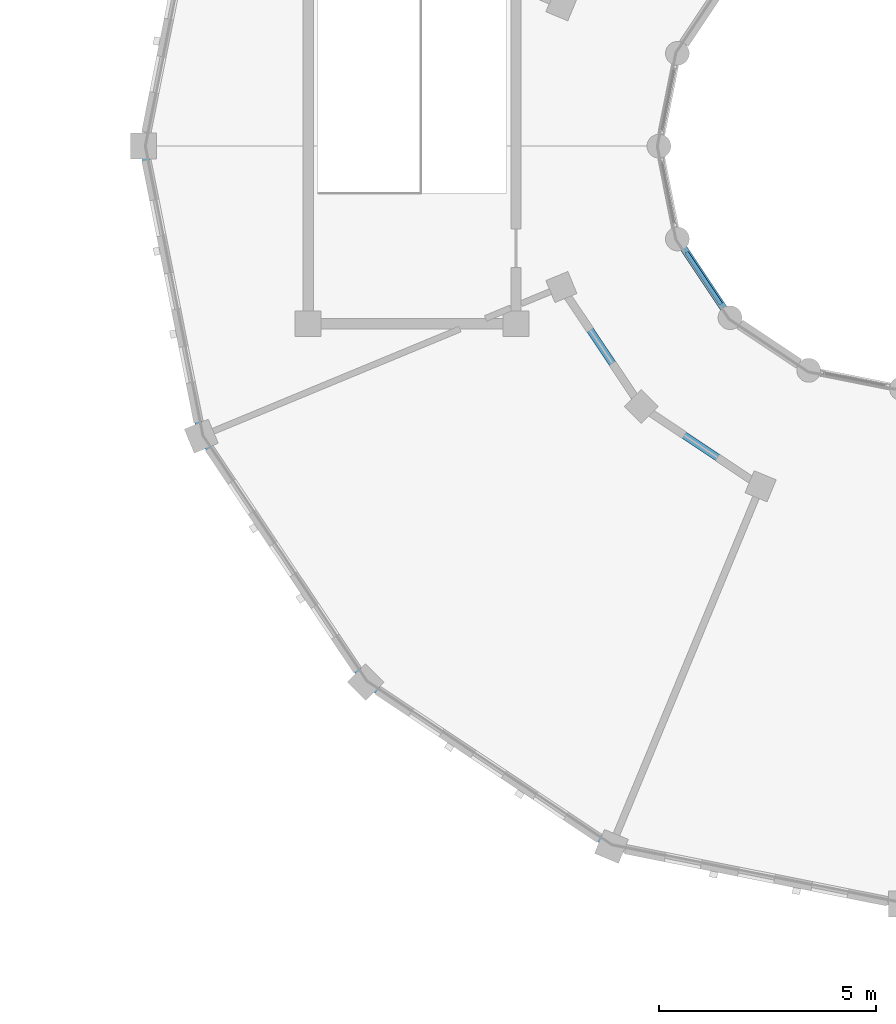
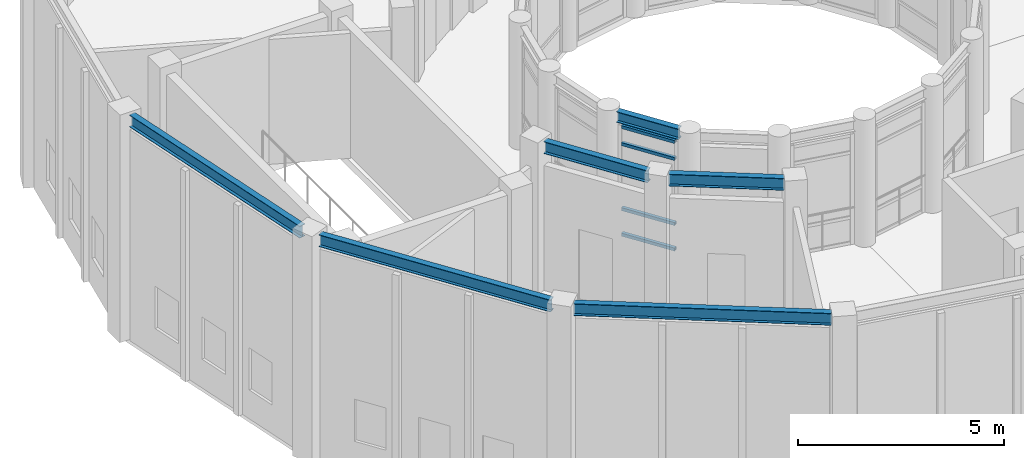
# One storey, part 59 of 149: 6 beams, 4 members, 1 element without a shape of its own.
"""IFC4 building model written with IfcOpenShell, lengths in metres."""

from ifc_helpers import new_model, si_unit, direction, frame, origin, origin_2d, place, context, subcontext, project, spatial, hollow_rectangle, i_section, extrude, material, material_profile, profile_set, type_object, element, aggregate, save


model = new_model("IFC4")

# Units and contexts
model_context = context("Model", 3, precision=1e-05, world=origin(), true_north=direction((0.0, 1.0)))
body_context = subcontext(model_context, "Body", "Model", "MODEL_VIEW")
ifc_project = project(units=[si_unit("LENGTHUNIT", "METRE"), si_unit("AREAUNIT", "SQUARE_METRE"), si_unit("VOLUMEUNIT", "CUBIC_METRE"), si_unit("PLANEANGLEUNIT", "RADIAN"), si_unit("MASSUNIT", "GRAM", prefix="KILO")], contexts=[model_context])

# Site, building, storey
site_placement = place(None, origin())
site = spatial("IfcSite", under=ifc_project, at=site_placement, CompositionType="ELEMENT")
building_placement = place(site_placement, origin())
building = spatial("IfcBuilding", under=site, at=building_placement, Name="Celadon Cloister-Ring School", CompositionType="ELEMENT")
storey_placement = place(building_placement, frame((0.0, 0.0, 12.5)))
storey = spatial("IfcBuildingStorey", under=building, at=storey_placement, Name="L03", CompositionType="ELEMENT", Elevation=12.5)

# Curtain wall, members
ifc_material_1 = material(Name="Aluminium EN AW-6063 T6", Category="aluminium")
curtain_wall_type = type_object("IfcCurtainWallType", Name="CW-05", PredefinedType="USERDEFINED", material=ifc_material_1)
curtain_wall_placement = place(storey_placement, origin())
curtain_wall = element("IfcCurtainWall", 1, at=curtain_wall_placement, inside=storey, type_object=curtain_wall_type, Name="Curtain Wall 0122", ObjectType="CURTAIN WALL", PredefinedType="USERDEFINED")
ifc_material_2 = material(Name="Aluminium EN AW-6063 T6", Category="aluminium")
ifc_material_profile_1 = material_profile(ifc_material_2, hollow_rectangle(XDim=0.090087890625, YDim=0.090087890625, WallThickness=0.00390625, at=origin_2d()), Name="RHS90X90X4")
ifc_profile_set_1 = profile_set([ifc_material_profile_1], Name="Aluminium EN AW-6063 T6")
member_type = type_object("IfcMemberType", Name="CTM-02", PredefinedType="USERDEFINED", material=ifc_profile_set_1)
member_1_placement = place(storey_placement, frame((15.231689453125, 94.549072265625, 0.044921875), z_axis=(0.555518951009, -0.831503875559, 0.0), x_axis=(0.831503875559, 0.555518951009, 0.0)))
member_1 = element("IfcMember", 2, at=member_1_placement, type_object=member_type, Name="CW-05 transom 1.1", ObjectType="TRANSOM", PredefinedType="USERDEFINED", context=body_context, shape_type="SweptSolid", body=[
    extrude(hollow_rectangle(XDim=0.090087890625, YDim=0.090087890625, WallThickness=0.00390625, at=origin_2d()), origin(), (0.0, 0.0, 1.0), 1.444580078125),
])
member_2_placement = place(storey_placement, frame((15.231689453125, 94.549072265625, 0.800048828125), z_axis=(0.555518951009, -0.831503875559, 0.0), x_axis=(0.831503875559, 0.555518951009, 0.0)))
member_2 = element("IfcMember", 3, at=member_2_placement, type_object=member_type, Name="CW-05 transom 1.2", ObjectType="TRANSOM", PredefinedType="USERDEFINED", context=body_context, shape_type="SweptSolid", body=[
    extrude(hollow_rectangle(XDim=0.090087890625, YDim=0.090087890625, WallThickness=0.00390625, at=origin_2d()), origin(), (0.0, 0.0, 1.0), 1.444580078125),
])
member_3_placement = place(storey_placement, frame((15.231689453125, 94.549072265625, 2.72509765625), z_axis=(0.555518951009, -0.831503875559, 0.0), x_axis=(0.831503875559, 0.555518951009, 0.0)))
member_3 = element("IfcMember", 4, at=member_3_placement, type_object=member_type, Name="CW-05 transom 1.3", ObjectType="TRANSOM", PredefinedType="USERDEFINED", context=body_context, shape_type="SweptSolid", body=[
    extrude(hollow_rectangle(XDim=0.090087890625, YDim=0.090087890625, WallThickness=0.00390625, at=origin_2d()), origin(), (0.0, 0.0, 1.0), 1.444580078125),
])
member_4_placement = place(storey_placement, frame((15.231689453125, 94.549072265625, 3.22998046875), z_axis=(0.555518951009, -0.831503875559, 0.0), x_axis=(0.831503875559, 0.555518951009, 0.0)))
member_4 = element("IfcMember", 5, at=member_4_placement, type_object=member_type, Name="CW-05 transom 1.4", ObjectType="TRANSOM", PredefinedType="USERDEFINED", context=body_context, shape_type="SweptSolid", body=[
    extrude(hollow_rectangle(XDim=0.090087890625, YDim=0.090087890625, WallThickness=0.00390625, at=origin_2d()), origin(), (0.0, 0.0, 1.0), 1.444580078125),
])
aggregate(curtain_wall, [member_1, member_2, member_3, member_4])

# Beams
ifc_material_3 = material(Name="Structural steel S355JR", Category="steel")
ifc_material_profile_2 = material_profile(ifc_material_3, i_section(OverallWidth=0.1708984375, OverallDepth=0.35498046875, WebThickness=0.007080078125, FlangeThickness=0.01171875, at=origin_2d()), Name="W360X51")
ifc_profile_set_2 = profile_set([ifc_material_profile_2], Name="Structural steel S355JR")
beam_type_1 = type_object("IfcBeamType", Name="GT-08", PredefinedType="USERDEFINED", material=ifc_profile_set_2)
beam_1_placement = place(storey_placement, frame((12.486083984375, 93.5390625, 4.222900390625), z_axis=(0.555740149771, -0.831356052442, 0.0), x_axis=(0.831356052442, 0.555740149771, 0.0)))
element("IfcBeam", 6, at=beam_1_placement, inside=storey, type_object=beam_type_1, Name="Beam 0833", ObjectType="GIRDER", PredefinedType="USERDEFINED", context=body_context, shape_type="SweptSolid", body=[
    extrude(i_section(OverallWidth=0.1708984375, OverallDepth=0.35498046875, WebThickness=0.007080078125, FlangeThickness=0.01171875, at=origin_2d()), origin(), (0.0, 0.0, 1.0), 2.81591796875),
])
beam_2_placement = place(storey_placement, frame((14.39794921875, 90.85107421875, 4.222900390625), z_axis=(0.831315995752, -0.555800067657, 0.0), x_axis=(0.555800067657, 0.831315995752, 0.0)))
element("IfcBeam", 7, at=beam_2_placement, inside=storey, type_object=beam_type_1, Name="Beam 0836", ObjectType="GIRDER", PredefinedType="USERDEFINED", context=body_context, shape_type="SweptSolid", body=[
    extrude(i_section(OverallWidth=0.1708984375, OverallDepth=0.35498046875, WebThickness=0.007080078125, FlangeThickness=0.01171875, at=origin_2d()), origin(), (0.0, 0.0, 1.0), 2.816162109375),
])
ifc_material_4 = material(Name="Structural steel S355JR", Category="steel")
ifc_material_profile_3 = material_profile(ifc_material_4, i_section(OverallWidth=0.1708984375, OverallDepth=0.35498046875, WebThickness=0.007080078125, FlangeThickness=0.01171875, at=origin_2d()), Name="W360X51")
ifc_profile_set_3 = profile_set([ifc_material_profile_3], Name="Structural steel S355JR")
beam_type_2 = type_object("IfcBeamType", Name="SP-04", PredefinedType="SPANDREL", material=ifc_profile_set_3)
beam_3_placement = place(storey_placement, frame((2.75390625, 96.72998046875, 6.472900390625), z_axis=(0.195001619501, -0.980802920261, 0.0), x_axis=(0.980802920261, 0.195001619501, 0.0)))
element("IfcBeam", 8, at=beam_3_placement, inside=storey, type_object=beam_type_2, Name="Beam 0830", PredefinedType="SPANDREL", context=body_context, shape_type="SweptSolid", body=[
    extrude(i_section(OverallWidth=0.1708984375, OverallDepth=0.35498046875, WebThickness=0.007080078125, FlangeThickness=0.01171875, at=origin_2d()), origin(), (0.0, 0.0, 1.0), 6.277587890625),
])
beam_4_placement = place(storey_placement, frame((4.18505859375, 90.073974609375, 6.472900390625), z_axis=(0.555660177561, -0.831409506244, 0.0), x_axis=(0.831409506244, 0.555660177561, 0.0)))
element("IfcBeam", 9, at=beam_4_placement, inside=storey, type_object=beam_type_2, Name="Beam 0832", PredefinedType="SPANDREL", context=body_context, shape_type="SweptSolid", body=[
    extrude(i_section(OverallWidth=0.1708984375, OverallDepth=0.35498046875, WebThickness=0.007080078125, FlangeThickness=0.01171875, at=origin_2d()), origin(), (0.0, 0.0, 1.0), 6.27734375),
])
beam_5_placement = place(storey_placement, frame((8.054931640625, 84.472900390625, 6.472900390625), z_axis=(0.831427473898, -0.555633292422, 0.0), x_axis=(0.555633292422, 0.831427473898, 0.0)))
element("IfcBeam", 10, at=beam_5_placement, inside=storey, type_object=beam_type_2, Name="Beam 0835", PredefinedType="SPANDREL", context=body_context, shape_type="SweptSolid", body=[
    extrude(i_section(OverallWidth=0.1708984375, OverallDepth=0.35498046875, WebThickness=0.007080078125, FlangeThickness=0.01171875, at=origin_2d()), origin(), (0.0, 0.0, 1.0), 6.277099609375),
])
ifc_material_5 = material(Name="Structural steel S355JR", Category="steel")
ifc_material_profile_4 = material_profile(ifc_material_5, i_section(OverallWidth=0.1669921875, OverallDepth=0.31689453125, WebThickness=0.007568359375, FlangeThickness=0.01318359375, at=origin_2d()), Name="W310X52")
ifc_profile_set_4 = profile_set([ifc_material_profile_4], Name="Structural steel S355JR")
beam_type_3 = type_object("IfcBeamType", Name="SP-05", PredefinedType="SPANDREL", material=ifc_profile_set_4)
beam_6_placement = place(storey_placement, frame((15.1650390625, 94.64892578125, 3.51708984375), z_axis=(0.555569328961, -0.831470216374, 0.0), x_axis=(0.831470216374, 0.555569328961, 0.0)))
element("IfcBeam", 11, at=beam_6_placement, inside=storey, type_object=beam_type_3, Name="Beam 0834", PredefinedType="SPANDREL", context=body_context, shape_type="SweptSolid", body=[
    extrude(i_section(OverallWidth=0.1669921875, OverallDepth=0.31689453125, WebThickness=0.007568359375, FlangeThickness=0.01318359375, at=origin_2d()), origin(), (0.0, 0.0, 1.0), 1.684814453125),
])

save(model, "model.ifc")
